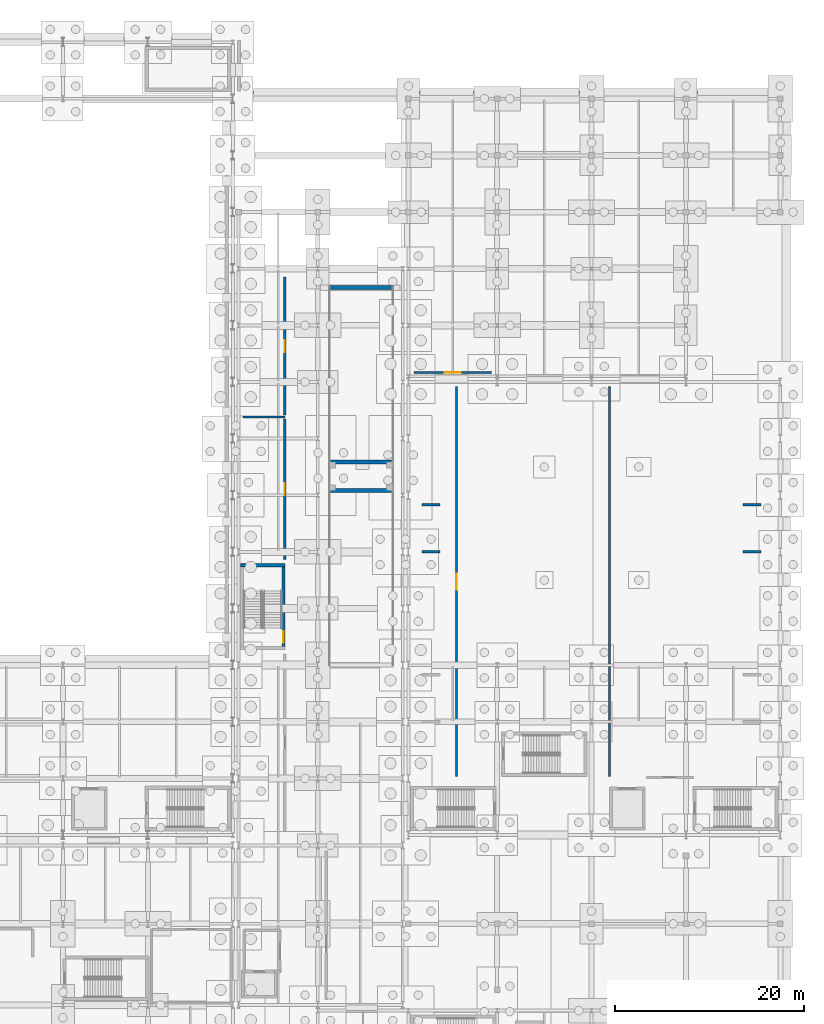
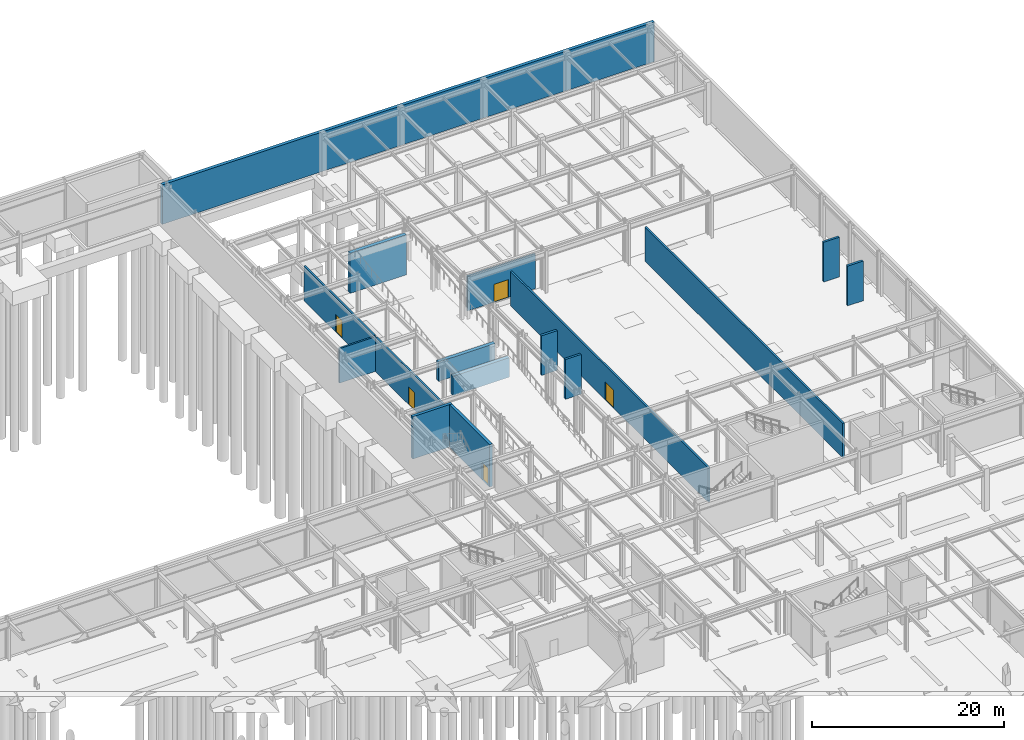
# One storey, part 49 of 65: 16 walls, 5 doors, 5 openings.
"""IFC4 building model written with IfcOpenShell, lengths in metres."""

from ifc_helpers import new_model, si_unit, direction, frame, frame_2d, origin, place, context, subcontext, project, spatial, rectangle, extrude, material, layer, layer_set, type_object, element, fill, save


model = new_model("IFC4")

# Units and contexts
model_context = context("Model", 3, precision=1e-05, world=origin(), true_north=direction((0.0, 1.0)))
body_context = subcontext(model_context, "Body", "Model", "MODEL_VIEW")
ifc_project = project(units=[si_unit("LENGTHUNIT", "METRE"), si_unit("AREAUNIT", "SQUARE_METRE"), si_unit("VOLUMEUNIT", "CUBIC_METRE"), si_unit("PLANEANGLEUNIT", "RADIAN"), si_unit("MASSUNIT", "GRAM", prefix="KILO")], contexts=[model_context])

# Site, building, storey
site_placement = place(None, origin())
site = spatial("IfcSite", under=ifc_project, at=site_placement, CompositionType="ELEMENT")
building_placement = place(site_placement, origin())
building = spatial("IfcBuilding", under=site, at=building_placement, Name="Kaldris Quays Convention Centre", CompositionType="ELEMENT")
storey_placement = place(building_placement, frame((0.0, 0.0, -5.39990234375)))
storey = spatial("IfcBuildingStorey", under=building, at=storey_placement, Name="B1", CompositionType="ELEMENT", Elevation=-5.39990234375)

# Wall, opening, door
ifc_material_1 = material(Name="Concrete C35/45", Category="concrete")
ifc_layer_1 = layer(ifc_material_1, 0.22412109375)
ifc_layer_set_1 = layer_set([ifc_layer_1], Name="Concrete C35/45")
wall_type_1 = type_object("IfcWallType", Name="INTERIOR WALL IW08", PredefinedType="PARTITIONING", material=ifc_layer_set_1)
wall_1_placement = place(storey_placement, frame((151.5, 85.199951171875, 0.0), z_axis=(0.0, 0.0, 1.0), x_axis=(0.0, 1.0, 0.0)))
wall_1 = element("IfcWall", 1, at=wall_1_placement, inside=storey, type_object=wall_type_1, Name="B1 Interior Wall IW08 11", PredefinedType="PARTITIONING", context=body_context, shape_type="SweptSolid", body=[
    extrude(rectangle(XDim=14.900146484375, YDim=0.22412109375, at=frame_2d((7.4501953125, 0.0))), origin(), (0.0, 0.0, 1.0), 4.39990234375),
])
opening_1_placement = place(wall_1_placement, frame((6.81005859375, 0.0, 0.0)))
opening_1 = element("IfcOpeningElement", 2, at=opening_1_placement, cuts=wall_1, Name="Opening ID14", PredefinedType="OPENING", context=body_context, shape_type="SweptSolid", body=[
    extrude(rectangle(XDim=1.280029296875, YDim=2.239990234375, at=frame_2d((0.64013671875, 1.1201171875))), frame((0.0, 0.1220703125, 0.0), z_axis=(0.0, -1.0, 0.0), x_axis=(1.0, 0.0, 0.0)), (0.0, 0.0, 1.0), 0.244140625),
])
ifc_material_2 = material(Name="Steel S355J2 plant room fire door", Category="steel")
door_type_1 = type_object("IfcDoorType", Name="INTERIOR DOOR ID14", OperationType="NOTDEFINED", PredefinedType="DOOR", material=ifc_material_2)
door_1_placement = place(opening_1_placement, frame((1.280029296875, 0.0, 0.0), z_axis=(0.0, 0.0, 1.0), x_axis=(-1.0, 0.0, 0.0)))
door_1 = element("IfcDoor", 3, at=door_1_placement, inside=storey, type_object=door_type_1, Name="B1 Interior Door ID14 7", OperationType="SINGLE_SWING_RIGHT", OverallHeight=2.239990234375, OverallWidth=1.280029296875, PredefinedType="DOOR", context=body_context, shape_type="SweptSolid", body=[
    extrude(rectangle(XDim=1.280029296875, YDim=2.239990234375, at=frame_2d((0.64013671875, 1.1201171875))), frame((0.0, 0.02490234375, 0.0), z_axis=(0.0, -1.0, 0.0), x_axis=(1.0, 0.0, 0.0)), (0.0, 0.0, 1.0), 0.050048828125),
])
fill(opening_1, door_1)

# Wall
wall_2_placement = place(storey_placement, frame((147.10009765625, 100.300048828125, 0.0), z_axis=(0.0, 0.0, 1.0), x_axis=(1.0, 0.0, 0.0)))
element("IfcWall", 4, at=wall_2_placement, inside=storey, type_object=wall_type_1, Name="B1 Interior Wall IW08 12", PredefinedType="PARTITIONING", context=body_context, shape_type="SweptSolid", body=[
    extrude(rectangle(XDim=4.39990234375, YDim=0.22412109375, at=frame_2d((2.199951171875, 0.0))), origin(), (0.0, 0.0, 1.0), 4.39990234375),
])

# Wall, opening, door
wall_3_placement = place(storey_placement, frame((151.5, 100.5, 0.0), z_axis=(0.0, 0.0, 1.0), x_axis=(0.0, 1.0, 0.0)))
wall_3 = element("IfcWall", 5, at=wall_3_placement, inside=storey, type_object=wall_type_1, Name="B1 Interior Wall IW08 13", PredefinedType="PARTITIONING", context=body_context, shape_type="SweptSolid", body=[
    extrude(rectangle(XDim=14.60009765625, YDim=0.22412109375, at=frame_2d((7.300048828125, 0.0))), origin(), (0.0, 0.0, 1.0), 4.39990234375),
])
opening_2_placement = place(wall_3_placement, frame((6.659912109375, 0.0, 0.0)))
opening_2 = element("IfcOpeningElement", 6, at=opening_2_placement, cuts=wall_3, Name="Opening ID14", PredefinedType="OPENING", context=body_context, shape_type="SweptSolid", body=[
    extrude(rectangle(XDim=1.280029296875, YDim=2.239990234375, at=frame_2d((0.64013671875, 1.1201171875))), frame((0.0, 0.1220703125, 0.0), z_axis=(0.0, -1.0, 0.0), x_axis=(1.0, 0.0, 0.0)), (0.0, 0.0, 1.0), 0.244140625),
])
door_2_placement = place(opening_2_placement, frame((1.280029296875, 0.0, 0.0), z_axis=(0.0, 0.0, 1.0), x_axis=(-1.0, 0.0, 0.0)))
door_2 = element("IfcDoor", 7, at=door_2_placement, inside=storey, type_object=door_type_1, Name="B1 Interior Door ID14 8", OperationType="SINGLE_SWING_LEFT", OverallHeight=2.239990234375, OverallWidth=1.280029296875, PredefinedType="DOOR", context=body_context, shape_type="SweptSolid", body=[
    extrude(rectangle(XDim=1.280029296875, YDim=2.239990234375, at=frame_2d((0.64013671875, 1.1201171875))), frame((0.0, 0.02490234375, 0.0), z_axis=(0.0, -1.0, 0.0), x_axis=(1.0, 0.0, 0.0)), (0.0, 0.0, 1.0), 0.050048828125),
])
fill(opening_2, door_2)

wall_4_placement = place(storey_placement, frame((165.199951171875, 105.0, 0.0), z_axis=(0.0, 0.0, 1.0), x_axis=(1.0, 0.0, 0.0)))
wall_4 = element("IfcWall", 8, at=wall_4_placement, inside=storey, type_object=wall_type_1, Name="B1 Interior Wall IW08 17", PredefinedType="PARTITIONING", context=body_context, shape_type="SweptSolid", body=[
    extrude(rectangle(XDim=8.199951171875, YDim=0.22412109375, at=frame_2d((4.10009765625, 0.0))), origin(), (0.0, 0.0, 1.0), 4.39990234375),
])
opening_3_placement = place(wall_4_placement, frame((3.239990234375, 0.0, 0.0)))
opening_3 = element("IfcOpeningElement", 9, at=opening_3_placement, cuts=wall_4, Name="Opening ID15", PredefinedType="OPENING", context=body_context, shape_type="SweptSolid", body=[
    extrude(rectangle(XDim=1.719970703125, YDim=2.280029296875, at=frame_2d((0.85986328125, 1.14013671875))), frame((0.0, 0.1220703125, 0.0), z_axis=(0.0, -1.0, 0.0), x_axis=(1.0, 0.0, 0.0)), (0.0, 0.0, 1.0), 0.244140625),
])
ifc_material_3 = material(Name="Steel S355J2 plant room double fire door", Category="steel")
door_type_2 = type_object("IfcDoorType", Name="INTERIOR DOOR ID15", OperationType="DOUBLE_DOOR_SINGLE_SWING", PredefinedType="DOOR", material=ifc_material_3)
door_3_placement = place(opening_3_placement, frame((1.719970703125, 0.0, 0.0), z_axis=(0.0, 0.0, 1.0), x_axis=(-1.0, 0.0, 0.0)))
door_3 = element("IfcDoor", 10, at=door_3_placement, inside=storey, type_object=door_type_2, Name="B1 Interior Door ID15 12", OperationType="DOUBLE_DOOR_SINGLE_SWING", OverallHeight=2.280029296875, OverallWidth=1.719970703125, PredefinedType="DOOR", context=body_context, shape_type="SweptSolid", body=[
    extrude(rectangle(XDim=1.719970703125, YDim=2.280029296875, at=frame_2d((0.85986328125, 1.14013671875))), frame((0.0, 0.02490234375, 0.0), z_axis=(0.0, -1.0, 0.0), x_axis=(1.0, 0.0, 0.0)), (0.0, 0.0, 1.0), 0.050048828125),
])
fill(opening_3, door_3)

wall_5_placement = place(storey_placement, frame((169.699951171875, 62.199951171875, 0.0), z_axis=(0.0, 0.0, 1.0), x_axis=(0.0, 1.0, 0.0)))
wall_5 = element("IfcWall", 11, at=wall_5_placement, inside=storey, type_object=wall_type_1, Name="B1 Interior Wall IW08 18", PredefinedType="PARTITIONING", context=body_context, shape_type="SweptSolid", body=[
    extrude(rectangle(XDim=41.300048828125, YDim=0.22412109375, at=frame_2d((20.64990234375, 0.0))), origin(), (0.0, 0.0, 1.0), 4.35791015625),
])
opening_4_placement = place(wall_5_placement, frame((19.7900390625, 0.0, 0.0)))
opening_4 = element("IfcOpeningElement", 12, at=opening_4_placement, cuts=wall_5, Name="Opening ID15", PredefinedType="OPENING", context=body_context, shape_type="SweptSolid", body=[
    extrude(rectangle(XDim=1.719970703125, YDim=2.280029296875, at=frame_2d((0.85986328125, 1.14013671875))), frame((0.0, 0.1220703125, 0.0), z_axis=(0.0, -1.0, 0.0), x_axis=(1.0, 0.0, 0.0)), (0.0, 0.0, 1.0), 0.244140625),
])
door_4_placement = place(opening_4_placement, origin())
door_4 = element("IfcDoor", 13, at=door_4_placement, inside=storey, type_object=door_type_2, Name="B1 Interior Door ID15 13", OperationType="DOUBLE_DOOR_SINGLE_SWING", OverallHeight=2.280029296875, OverallWidth=1.719970703125, PredefinedType="DOOR", context=body_context, shape_type="SweptSolid", body=[
    extrude(rectangle(XDim=1.719970703125, YDim=2.280029296875, at=frame_2d((0.85986328125, 1.14013671875))), frame((0.0, 0.02490234375, 0.0), z_axis=(0.0, -1.0, 0.0), x_axis=(1.0, 0.0, 0.0)), (0.0, 0.0, 1.0), 0.050048828125),
])
fill(opening_4, door_4)

# Walls
wall_6_placement = place(storey_placement, frame((185.89990234375, 62.199951171875, 0.0), z_axis=(0.0, 0.0, 1.0), x_axis=(0.0, 1.0, 0.0)))
element("IfcWall", 14, at=wall_6_placement, inside=storey, type_object=wall_type_1, Name="B1 Interior Wall IW08 19", PredefinedType="PARTITIONING", context=body_context, shape_type="SweptSolid", body=[
    extrude(rectangle(XDim=41.300048828125, YDim=0.22412109375, at=frame_2d((20.64990234375, 0.0))), origin(), (0.0, 0.0, 1.0), 4.35791015625),
])
ifc_layer_2 = layer(ifc_material_1, 0.389892578125)
ifc_layer_set_2 = layer_set([ifc_layer_2], Name="Concrete C35/45")
wall_type_2 = type_object("IfcWallType", Name="STRUCTURAL WALL RW02", PredefinedType="SOLIDWALL", material=ifc_layer_set_2)
wall_7_placement = place(storey_placement, frame((145.52490234375, 134.64990234375, 0.0), z_axis=(0.0, 0.0, 1.0), x_axis=(1.0, 0.0, 0.0)))
element("IfcWall", 15, at=wall_7_placement, inside=storey, type_object=wall_type_2, Name="B1 Perimeter Retaining Wall RW02 4", PredefinedType="SOLIDWALL", context=body_context, shape_type="SweptSolid", body=[
    extrude(rectangle(XDim=59.320068359375, YDim=0.389892578125, at=frame_2d((29.66015625, 0.0))), origin(), (0.0, 0.0, 1.0), 5.0478515625),
])
ifc_material_4 = material(Name="Concrete C40/50", Category="concrete")
ifc_layer_3 = layer(ifc_material_4, 0.35009765625)
ifc_layer_set_3 = layer_set([ifc_layer_3], Name="Concrete C40/50")
wall_type_3 = type_object("IfcWallType", Name="STRUCTURAL WALL SW01", PredefinedType="SHEAR", material=ifc_layer_set_3)
wall_8_placement = place(storey_placement, frame((146.800048828125, 84.574951171875, 0.0), z_axis=(0.0, 0.0, 1.0), x_axis=(1.0, 0.0, 0.0)))
element("IfcWall", 16, at=wall_8_placement, inside=storey, type_object=wall_type_3, Name="B1 Core Shear Wall CORE-ST14-B1-N", PredefinedType="SHEAR", context=body_context, shape_type="SweptSolid", body=[
    extrude(rectangle(XDim=4.75, YDim=0.35009765625, at=frame_2d((2.375, 0.0))), origin(), (0.0, 0.0, 1.0), 5.39990234375),
])

# Wall, opening, door
wall_9_placement = place(storey_placement, frame((151.375, 76.0, 0.0), z_axis=(0.0, 0.0, 1.0), x_axis=(0.0, 1.0, 0.0)))
wall_9 = element("IfcWall", 17, at=wall_9_placement, inside=storey, type_object=wall_type_3, Name="B1 Core Shear Wall CORE-ST14-B1-E", PredefinedType="SHEAR", context=body_context, shape_type="SweptSolid", body=[
    extrude(rectangle(XDim=8.39990234375, YDim=0.35009765625, at=frame_2d((4.199951171875, 0.0))), origin(), (0.0, 0.0, 1.0), 5.39990234375),
])
opening_5_placement = place(wall_9_placement, frame((0.375, 0.0, 0.0)))
opening_5 = element("IfcOpeningElement", 18, at=opening_5_placement, cuts=wall_9, Name="Opening ID03", PredefinedType="OPENING", context=body_context, shape_type="SweptSolid", body=[
    extrude(rectangle(XDim=1.199951171875, YDim=2.199951171875, at=frame_2d((0.60009765625, 1.10009765625))), frame((0.0, 0.18505859375, 0.0), z_axis=(0.0, -1.0, 0.0), x_axis=(1.0, 0.0, 0.0)), (0.0, 0.0, 1.0), 0.3701171875),
])
ifc_material_5 = material(Name="Steel S355J2 fire-resisting door", Category="steel")
door_type_3 = type_object("IfcDoorType", Name="INTERIOR DOOR ID03", OperationType="NOTDEFINED", PredefinedType="DOOR", material=ifc_material_5)
door_5_placement = place(opening_5_placement, origin())
door_5 = element("IfcDoor", 19, at=door_5_placement, inside=storey, type_object=door_type_3, Name="B1 Escape Stair ST14 Fire Door", OperationType="SINGLE_SWING_LEFT", OverallHeight=2.199951171875, OverallWidth=1.199951171875, PredefinedType="DOOR", context=body_context, shape_type="SweptSolid", body=[
    extrude(rectangle(XDim=1.199951171875, YDim=2.199951171875, at=frame_2d((0.60009765625, 1.10009765625))), frame((0.0, 0.02490234375, 0.0), z_axis=(0.0, -1.0, 0.0), x_axis=(1.0, 0.0, 0.0)), (0.0, 0.0, 1.0), 0.050048828125),
])
fill(opening_5, door_5)

# Walls
ifc_layer_4 = layer(ifc_material_4, 0.280029296875)
ifc_layer_set_4 = layer_set([ifc_layer_4], Name="Concrete C40/50")
wall_type_4 = type_object("IfcWallType", Name="STRUCTURAL WALL SW03", PredefinedType="SHEAR", material=ifc_layer_set_4)
for number, where, z_axis, x_axis, name in (
    (20, (166.050048828125, 86.0, 0.0), (0.0, 0.0, 1.0), (1.0, 0.0, 0.0), "B1 Accessible Ramp Support Wall 1A"),
    (21, (166.050048828125, 91.0, 0.0), (0.0, 0.0, 1.0), (1.0, 0.0, 0.0), "B1 Accessible Ramp Support Wall 1B"),
    (22, (200.050048828125, 86.0, 0.0), (0.0, 0.0, 1.0), (1.0, 0.0, 0.0), "B1 Accessible Ramp Support Wall 2A"),
    (23, (200.050048828125, 91.0, 0.0), (0.0, 0.0, 1.0), (1.0, 0.0, 0.0), "B1 Accessible Ramp Support Wall 2B"),
):
    element("IfcWall", number, at=place(storey_placement, frame(where, z_axis=z_axis, x_axis=x_axis)), inside=storey, type_object=wall_type_4, Name=name, PredefinedType="SHEAR", context=body_context, shape_type="SweptSolid", body=[
        extrude(rectangle(XDim=1.89990234375, YDim=0.280029296875, at=frame_2d((0.949951171875, 0.0))), origin(), (0.0, 0.0, 1.0), 5.06201171875),
    ])
ifc_layer_5 = layer(ifc_material_4, 0.419921875)
ifc_layer_set_5 = layer_set([ifc_layer_5], Name="Concrete C40/50")
wall_type_5 = type_object("IfcWallType", Name="STRUCTURAL WALL SW04", PredefinedType="SHEAR", material=ifc_layer_set_5)
for number, where, z_axis, x_axis, name in (
    (24, (156.199951171875, 92.5, 0.0), (0.0, 0.0, 1.0), (1.0, 0.0, 0.0), "B1 Vehicle Ramp Bearing Wall MID1"),
    (25, (156.199951171875, 95.5, 0.0), (0.0, 0.0, 1.0), (1.0, 0.0, 0.0), "B1 Vehicle Ramp Bearing Wall MID2"),
):
    element("IfcWall", number, at=place(storey_placement, frame(where, z_axis=z_axis, x_axis=x_axis)), inside=storey, type_object=wall_type_5, Name=name, PredefinedType="SHEAR", context=body_context, shape_type="SweptSolid", body=[
        extrude(rectangle(XDim=6.800048828125, YDim=0.419921875, at=frame_2d((3.39990234375, 0.0))), origin(), (0.0, 0.0, 1.0), 2.477783203125),
    ])
wall_10_placement = place(storey_placement, frame((156.199951171875, 114.0, 0.0), z_axis=(0.0, 0.0, 1.0), x_axis=(1.0, 0.0, 0.0)))
element("IfcWall", 26, at=wall_10_placement, inside=storey, type_object=wall_type_5, Name="B1 Vehicle Ramp Bearing Wall TOP", PredefinedType="SHEAR", context=body_context, shape_type="SweptSolid", body=[
    extrude(rectangle(XDim=6.800048828125, YDim=0.419921875, at=frame_2d((3.39990234375, 0.0))), origin(), (0.0, 0.0, 1.0), 5.10400390625),
])

save(model, "model.ifc")
